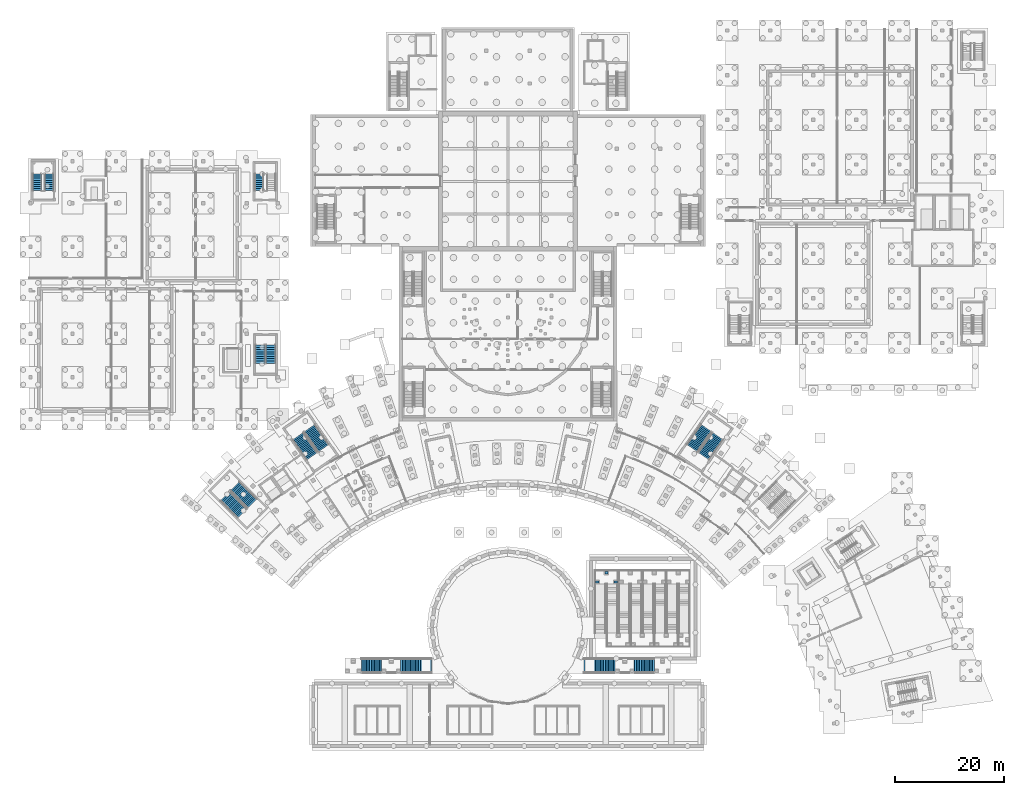
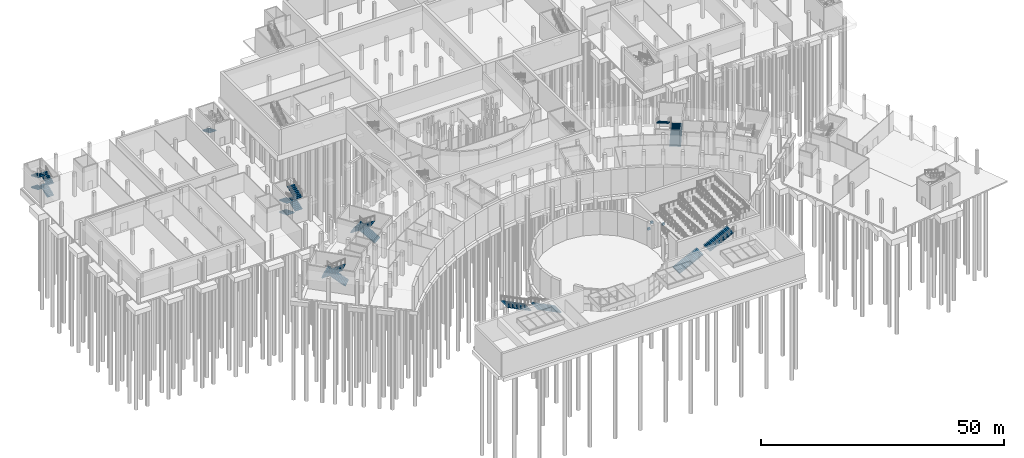
# One storey, part 31 of 66: 19 stair flights, 3 walls, 8 elements without a shape of their own.
"""IFC4 building model written with IfcOpenShell, lengths in metres."""

from ifc_helpers import new_model, si_unit, direction, frame, frame_2d, origin, place, context, subcontext, project, spatial, polyline, rectangle, outline, extrude, material, layer, layer_set, type_object, element, aggregate, save


model = new_model("IFC4")

# Units and contexts
model_context = context("Model", 3, precision=1e-05, world=origin(), true_north=direction((0.0, 1.0)))
body_context = subcontext(model_context, "Body", "Model", "MODEL_VIEW")
ifc_project = project(units=[si_unit("LENGTHUNIT", "METRE"), si_unit("AREAUNIT", "SQUARE_METRE"), si_unit("VOLUMEUNIT", "CUBIC_METRE"), si_unit("PLANEANGLEUNIT", "RADIAN"), si_unit("MASSUNIT", "GRAM", prefix="KILO")], contexts=[model_context])

# Site, building, storey
site_placement = place(None, origin())
site = spatial("IfcSite", under=ifc_project, at=site_placement, CompositionType="ELEMENT")
building_placement = place(site_placement, origin())
building = spatial("IfcBuilding", under=site, at=building_placement, Name="Lunette Opera House", CompositionType="ELEMENT")
storey_placement = place(building_placement, frame((0.0, 0.0, -6.0)))
storey = spatial("IfcBuildingStorey", under=building, at=storey_placement, Name="B1", CompositionType="ELEMENT", Elevation=-6.0)

# Walls
ifc_material_1 = material(Name="Concrete C35/45", Category="concrete")
ifc_layer = layer(ifc_material_1, 0.39990234375)
ifc_layer_set = layer_set([ifc_layer], Name="Concrete C35/45")
wall_type = type_object("IfcWallType", Name="RAMP PIER WALL 400", PredefinedType="SOLIDWALL", material=ifc_layer_set)
wall_1_placement = place(storey_placement, frame((112.10009765625, 34.39990234375, 0.0), z_axis=(0.0, 0.0, 1.0), x_axis=(1.0, 0.0, 0.0)))
element("IfcWall", 1, at=wall_1_placement, inside=storey, type_object=wall_type, Name="Bearing pier FR1-L-P1", PredefinedType="SOLIDWALL", context=body_context, shape_type="SweptSolid", body=[
    extrude(rectangle(XDim=0.599853515625, YDim=0.39990234375, at=frame_2d((0.2998046875, 0.0))), origin(), (0.0, 0.0, 1.0), 0.5),
])
wall_2_placement = place(storey_placement, frame((115.5, 34.39990234375, 0.0), z_axis=(0.0, 0.0, 1.0), x_axis=(1.0, 0.0, 0.0)))
element("IfcWall", 2, at=wall_2_placement, inside=storey, type_object=wall_type, Name="Bearing pier FR1-L-P2", PredefinedType="SOLIDWALL", context=body_context, shape_type="SweptSolid", body=[
    extrude(rectangle(XDim=0.60009765625, YDim=0.39990234375, at=frame_2d((0.300048828125, 0.0))), origin(), (0.0, 0.0, 1.0), 0.5),
])
wall_3_placement = place(storey_placement, frame((113.800048828125, 36.10009765625, 0.0), z_axis=(0.0, 0.0, 1.0), x_axis=(1.0, 0.0, 0.0)))
element("IfcWall", 3, at=wall_3_placement, inside=storey, type_object=wall_type, Name="Bearing pier FR1-L-P3", PredefinedType="SOLIDWALL", context=body_context, shape_type="SweptSolid", body=[
    extrude(rectangle(XDim=0.599853515625, YDim=0.39990234375, at=frame_2d((0.2998046875, 0.0))), origin(), (0.0, 0.0, 1.0), 0.5),
])

# Stair, stair flights
ifc_material_2 = material(Name="Concrete C35/45", Category="concrete")
stair_type_1 = type_object("IfcStairType", Name="FORECOURT STAIR 4000", PredefinedType="STRAIGHT_RUN_STAIR", material=ifc_material_2)
stair_1_placement = place(storey_placement, origin())
stair_1 = element("IfcStair", 4, at=stair_1_placement, inside=storey, type_object=stair_type_1, Name="Forecourt stair FS1", PredefinedType="STRAIGHT_RUN_STAIR")
ifc_material_3 = material(Name="Concrete C35/45", Category="concrete")
stair_flight_type_1 = type_object("IfcStairFlightType", Name="FORECOURT STAIR FLIGHT 4000", PredefinedType="STRAIGHT", material=ifc_material_3)
stair_flight_1_placement = place(storey_placement, frame((82.0, 19.0, 0.0), z_axis=(0.0, 0.0, 1.0), x_axis=(-1.0, 0.0, 0.0)))
stair_flight_1 = element("IfcStairFlight", 5, at=stair_flight_1_placement, type_object=stair_flight_type_1, Name="FS1 flight 1", NumberOfRisers=20, NumberOfTreads=19, PredefinedType="STRAIGHT", RiserHeight=0.15, TreadLength=0.3, context=body_context, shape_type="SweptSolid", body=[
    extrude(outline(polyline([(0.0, 0.0), (0.0, 0.14990234375), (0.300048828125, 0.14990234375), (0.300048828125, 0.300048828125), (0.60009765625, 0.300048828125), (0.60009765625, 0.449951171875), (0.89990234375, 0.449951171875), (0.89990234375, 0.60009765625), (1.199951171875, 0.60009765625), (1.199951171875, 0.75), (1.5, 0.75), (1.5, 0.89990234375), (1.800048828125, 0.89990234375), (1.800048828125, 1.050048828125), (2.10009765625, 1.050048828125), (2.10009765625, 1.199951171875), (2.39990234375, 1.199951171875), (2.39990234375, 1.35009765625), (2.699951171875, 1.35009765625), (2.699951171875, 1.5), (3.0, 1.5), (3.0, 1.64990234375), (3.300048828125, 1.64990234375), (3.300048828125, 1.800048828125), (3.60009765625, 1.800048828125), (3.60009765625, 1.949951171875), (3.89990234375, 1.949951171875), (3.89990234375, 2.10009765625), (4.199951171875, 2.10009765625), (4.199951171875, 2.25), (4.5, 2.25), (4.5, 2.39990234375), (4.800048828125, 2.39990234375), (4.800048828125, 2.550048828125), (5.10009765625, 2.550048828125), (5.10009765625, 2.699951171875), (5.39990234375, 2.699951171875), (5.39990234375, 2.85009765625), (5.699951171875, 2.85009765625), (5.699951171875, 3.0), (5.699951171875, 2.682373046875), (0.335205078125, 0.0), (0.0, 0.0)])), frame((0.0, 1.39990234375, 0.0), z_axis=(0.0, -1.0, 0.0), x_axis=(1.0, 0.0, 0.0)), (0.0, 0.0, 1.0), 2.800048828125),
])
stair_flight_2_placement = place(storey_placement, frame((74.800048828125, 19.0, 3.0), z_axis=(0.0, 0.0, 1.0), x_axis=(-1.0, 0.0, 0.0)))
stair_flight_2 = element("IfcStairFlight", 6, at=stair_flight_2_placement, type_object=stair_flight_type_1, Name="FS1 flight 2", NumberOfRisers=20, NumberOfTreads=19, PredefinedType="STRAIGHT", RiserHeight=0.15, TreadLength=0.3, context=body_context, shape_type="SweptSolid", body=[
    extrude(outline(polyline([(0.0, 0.0), (0.0, 0.14990234375), (0.300048828125, 0.14990234375), (0.300048828125, 0.300048828125), (0.60009765625, 0.300048828125), (0.60009765625, 0.449951171875), (0.89990234375, 0.449951171875), (0.89990234375, 0.60009765625), (1.199951171875, 0.60009765625), (1.199951171875, 0.75), (1.5, 0.75), (1.5, 0.89990234375), (1.800048828125, 0.89990234375), (1.800048828125, 1.050048828125), (2.10009765625, 1.050048828125), (2.10009765625, 1.199951171875), (2.39990234375, 1.199951171875), (2.39990234375, 1.35009765625), (2.699951171875, 1.35009765625), (2.699951171875, 1.5), (3.0, 1.5), (3.0, 1.64990234375), (3.300048828125, 1.64990234375), (3.300048828125, 1.800048828125), (3.60009765625, 1.800048828125), (3.60009765625, 1.949951171875), (3.89990234375, 1.949951171875), (3.89990234375, 2.10009765625), (4.199951171875, 2.10009765625), (4.199951171875, 2.25), (4.5, 2.25), (4.5, 2.39990234375), (4.800048828125, 2.39990234375), (4.800048828125, 2.550048828125), (5.10009765625, 2.550048828125), (5.10009765625, 2.699951171875), (5.39990234375, 2.699951171875), (5.39990234375, 2.85009765625), (5.699951171875, 2.85009765625), (5.699951171875, 3.0), (5.699951171875, 2.682373046875), (0.335205078125, 0.0), (0.0, 0.0)])), frame((0.0, 1.39990234375, 0.0), z_axis=(0.0, -1.0, 0.0), x_axis=(1.0, 0.0, 0.0)), (0.0, 0.0, 1.0), 2.800048828125),
])
aggregate(stair_1, [stair_flight_1, stair_flight_2])

stair_2_placement = place(storey_placement, origin())
stair_2 = element("IfcStair", 7, at=stair_2_placement, inside=storey, type_object=stair_type_1, Name="Forecourt stair FS2", PredefinedType="STRAIGHT_RUN_STAIR")
stair_flight_3_placement = place(storey_placement, frame((110.0, 19.0, 0.0), z_axis=(0.0, 0.0, 1.0), x_axis=(1.0, 0.0, 0.0)))
stair_flight_3 = element("IfcStairFlight", 8, at=stair_flight_3_placement, type_object=stair_flight_type_1, Name="FS2 flight 1", NumberOfRisers=20, NumberOfTreads=19, PredefinedType="STRAIGHT", RiserHeight=0.15, TreadLength=0.3, context=body_context, shape_type="SweptSolid", body=[
    extrude(outline(polyline([(0.0, 0.0), (0.0, 0.14990234375), (0.300048828125, 0.14990234375), (0.300048828125, 0.300048828125), (0.60009765625, 0.300048828125), (0.60009765625, 0.449951171875), (0.89990234375, 0.449951171875), (0.89990234375, 0.60009765625), (1.199951171875, 0.60009765625), (1.199951171875, 0.75), (1.5, 0.75), (1.5, 0.89990234375), (1.800048828125, 0.89990234375), (1.800048828125, 1.050048828125), (2.10009765625, 1.050048828125), (2.10009765625, 1.199951171875), (2.39990234375, 1.199951171875), (2.39990234375, 1.35009765625), (2.699951171875, 1.35009765625), (2.699951171875, 1.5), (3.0, 1.5), (3.0, 1.64990234375), (3.300048828125, 1.64990234375), (3.300048828125, 1.800048828125), (3.60009765625, 1.800048828125), (3.60009765625, 1.949951171875), (3.89990234375, 1.949951171875), (3.89990234375, 2.10009765625), (4.199951171875, 2.10009765625), (4.199951171875, 2.25), (4.5, 2.25), (4.5, 2.39990234375), (4.800048828125, 2.39990234375), (4.800048828125, 2.550048828125), (5.10009765625, 2.550048828125), (5.10009765625, 2.699951171875), (5.39990234375, 2.699951171875), (5.39990234375, 2.85009765625), (5.699951171875, 2.85009765625), (5.699951171875, 3.0), (5.699951171875, 2.682373046875), (0.335205078125, 0.0), (0.0, 0.0)])), frame((0.0, 1.39990234375, 0.0), z_axis=(0.0, -1.0, 0.0), x_axis=(1.0, 0.0, 0.0)), (0.0, 0.0, 1.0), 2.800048828125),
])
stair_flight_4_placement = place(storey_placement, frame((117.199951171875, 19.0, 3.0), z_axis=(0.0, 0.0, 1.0), x_axis=(1.0, 0.0, 0.0)))
stair_flight_4 = element("IfcStairFlight", 9, at=stair_flight_4_placement, type_object=stair_flight_type_1, Name="FS2 flight 2", NumberOfRisers=20, NumberOfTreads=19, PredefinedType="STRAIGHT", RiserHeight=0.15, TreadLength=0.3, context=body_context, shape_type="SweptSolid", body=[
    extrude(outline(polyline([(0.0, 0.0), (0.0, 0.14990234375), (0.300048828125, 0.14990234375), (0.300048828125, 0.300048828125), (0.60009765625, 0.300048828125), (0.60009765625, 0.449951171875), (0.89990234375, 0.449951171875), (0.89990234375, 0.60009765625), (1.199951171875, 0.60009765625), (1.199951171875, 0.75), (1.5, 0.75), (1.5, 0.89990234375), (1.800048828125, 0.89990234375), (1.800048828125, 1.050048828125), (2.10009765625, 1.050048828125), (2.10009765625, 1.199951171875), (2.39990234375, 1.199951171875), (2.39990234375, 1.35009765625), (2.699951171875, 1.35009765625), (2.699951171875, 1.5), (3.0, 1.5), (3.0, 1.64990234375), (3.300048828125, 1.64990234375), (3.300048828125, 1.800048828125), (3.60009765625, 1.800048828125), (3.60009765625, 1.949951171875), (3.89990234375, 1.949951171875), (3.89990234375, 2.10009765625), (4.199951171875, 2.10009765625), (4.199951171875, 2.25), (4.5, 2.25), (4.5, 2.39990234375), (4.800048828125, 2.39990234375), (4.800048828125, 2.550048828125), (5.10009765625, 2.550048828125), (5.10009765625, 2.699951171875), (5.39990234375, 2.699951171875), (5.39990234375, 2.85009765625), (5.699951171875, 2.85009765625), (5.699951171875, 3.0), (5.699951171875, 2.682373046875), (0.335205078125, 0.0), (0.0, 0.0)])), frame((0.0, 1.39990234375, 0.0), z_axis=(0.0, -1.0, 0.0), x_axis=(1.0, 0.0, 0.0)), (0.0, 0.0, 1.0), 2.800048828125),
])
aggregate(stair_2, [stair_flight_3, stair_flight_4])

ifc_material_4 = material(Name="Concrete C35/45", Category="concrete")
stair_type_2 = type_object("IfcStairType", Name="DOGLEG STAIR 1600", PredefinedType="HALF_TURN_STAIR", material=ifc_material_4)
stair_3_placement = place(storey_placement, origin())
stair_3 = element("IfcStair", 10, at=stair_3_placement, inside=storey, type_object=stair_type_2, Name="B1 stair ST15", PredefinedType="HALF_TURN_STAIR")
ifc_material_5 = material(Name="Concrete C35/45", Category="concrete")
stair_flight_type_2 = type_object("IfcStairFlightType", Name="STRAIGHT STAIR FLIGHT 1600", PredefinedType="STRAIGHT", material=ifc_material_5)
stair_flight_5_placement = place(storey_placement, frame((11.699951171875, 106.300048828125, 0.0), z_axis=(0.0, 0.0, 1.0), x_axis=(0.0, 1.0, 0.0)))
stair_flight_5 = element("IfcStairFlight", 11, at=stair_flight_5_placement, type_object=stair_flight_type_2, Name="ST15 flight 1", NumberOfRisers=9, NumberOfTreads=8, PredefinedType="STRAIGHT", RiserHeight=0.166666667, TreadLength=0.38, context=body_context, shape_type="SweptSolid", body=[
    extrude(outline(polyline([(0.0, 0.0), (0.0, 0.166748046875), (0.3798828125, 0.166748046875), (0.3798828125, 0.333251953125), (0.760009765625, 0.333251953125), (0.760009765625, 0.5), (1.139892578125, 0.5), (1.139892578125, 0.666748046875), (1.52001953125, 0.666748046875), (1.52001953125, 0.833251953125), (1.89990234375, 0.833251953125), (1.89990234375, 1.0), (2.280029296875, 1.0), (2.280029296875, 1.166748046875), (2.659912109375, 1.166748046875), (2.659912109375, 1.333251953125), (3.0400390625, 1.333251953125), (3.0400390625, 1.5), (3.0400390625, 1.169677734375), (0.373291015625, 0.0), (0.0, 0.0)])), frame((0.0, 0.800048828125, 0.0), z_axis=(0.0, -1.0, 0.0), x_axis=(1.0, 0.0, 0.0)), (0.0, 0.0, 1.0), 1.60009765625),
])
stair_flight_6_placement = place(storey_placement, frame((9.5, 109.340087890625, 1.5), z_axis=(0.0, 0.0, 1.0), x_axis=(0.0, -1.0, 0.0)))
stair_flight_6 = element("IfcStairFlight", 12, at=stair_flight_6_placement, type_object=stair_flight_type_2, Name="ST15 flight 2", NumberOfRisers=9, NumberOfTreads=8, PredefinedType="STRAIGHT", RiserHeight=0.166666667, TreadLength=0.38, context=body_context, shape_type="SweptSolid", body=[
    extrude(outline(polyline([(0.0, 0.0), (0.0, 0.166748046875), (0.3798828125, 0.166748046875), (0.3798828125, 0.333251953125), (0.760009765625, 0.333251953125), (0.760009765625, 0.5), (1.139892578125, 0.5), (1.139892578125, 0.666748046875), (1.52001953125, 0.666748046875), (1.52001953125, 0.833251953125), (1.89990234375, 0.833251953125), (1.89990234375, 1.0), (2.280029296875, 1.0), (2.280029296875, 1.166748046875), (2.659912109375, 1.166748046875), (2.659912109375, 1.333251953125), (3.0400390625, 1.333251953125), (3.0400390625, 1.5), (3.0400390625, 1.169677734375), (0.373291015625, 0.0), (0.0, 0.0)])), frame((0.0, 0.800048828125, 0.0), z_axis=(0.0, -1.0, 0.0), x_axis=(1.0, 0.0, 0.0)), (0.0, 0.0, 1.0), 1.60009765625),
])
stair_flight_7_placement = place(storey_placement, frame((11.699951171875, 106.300048828125, 3.0), z_axis=(0.0, 0.0, 1.0), x_axis=(0.0, 1.0, 0.0)))
stair_flight_7 = element("IfcStairFlight", 13, at=stair_flight_7_placement, type_object=stair_flight_type_2, Name="ST15 flight 3", NumberOfRisers=9, NumberOfTreads=8, PredefinedType="STRAIGHT", RiserHeight=0.166666667, TreadLength=0.38, context=body_context, shape_type="SweptSolid", body=[
    extrude(outline(polyline([(0.0, 0.0), (0.0, 0.166748046875), (0.3798828125, 0.166748046875), (0.3798828125, 0.333251953125), (0.760009765625, 0.333251953125), (0.760009765625, 0.5), (1.139892578125, 0.5), (1.139892578125, 0.666748046875), (1.52001953125, 0.666748046875), (1.52001953125, 0.833251953125), (1.89990234375, 0.833251953125), (1.89990234375, 1.0), (2.280029296875, 1.0), (2.280029296875, 1.166748046875), (2.659912109375, 1.166748046875), (2.659912109375, 1.333251953125), (3.0400390625, 1.333251953125), (3.0400390625, 1.5), (3.0400390625, 1.169677734375), (0.373291015625, 0.0), (0.0, 0.0)])), frame((0.0, 0.800048828125, 0.0), z_axis=(0.0, -1.0, 0.0), x_axis=(1.0, 0.0, 0.0)), (0.0, 0.0, 1.0), 1.60009765625),
])
stair_flight_8_placement = place(storey_placement, frame((9.5, 109.340087890625, 4.5), z_axis=(0.0, 0.0, 1.0), x_axis=(0.0, -1.0, 0.0)))
stair_flight_8 = element("IfcStairFlight", 14, at=stair_flight_8_placement, type_object=stair_flight_type_2, Name="ST15 flight 4", NumberOfRisers=9, NumberOfTreads=8, PredefinedType="STRAIGHT", RiserHeight=0.166666667, TreadLength=0.38, context=body_context, shape_type="SweptSolid", body=[
    extrude(outline(polyline([(0.0, 0.0), (0.0, 0.166748046875), (0.3798828125, 0.166748046875), (0.3798828125, 0.333251953125), (0.760009765625, 0.333251953125), (0.760009765625, 0.5), (1.139892578125, 0.5), (1.139892578125, 0.666748046875), (1.52001953125, 0.666748046875), (1.52001953125, 0.833251953125), (1.89990234375, 0.833251953125), (1.89990234375, 1.0), (2.280029296875, 1.0), (2.280029296875, 1.166748046875), (2.659912109375, 1.166748046875), (2.659912109375, 1.333251953125), (3.0400390625, 1.333251953125), (3.0400390625, 1.5), (3.0400390625, 1.169677734375), (0.373291015625, 0.0), (0.0, 0.0)])), frame((0.0, 0.800048828125, 0.0), z_axis=(0.0, -1.0, 0.0), x_axis=(1.0, 0.0, 0.0)), (0.0, 0.0, 1.0), 1.60009765625),
])
aggregate(stair_3, [stair_flight_5, stair_flight_6, stair_flight_7, stair_flight_8])

# Stair, stair flight
stair_4_placement = place(storey_placement, origin())
stair_4 = element("IfcStair", 15, at=stair_4_placement, inside=storey, type_object=stair_type_2, Name="B1 stair ST17", PredefinedType="HALF_TURN_STAIR")
stair_flight_9_placement = place(storey_placement, frame((50.300048828125, 109.340087890625, 1.5), z_axis=(0.0, 0.0, 1.0), x_axis=(0.0, -1.0, 0.0)))
stair_flight_9 = element("IfcStairFlight", 16, at=stair_flight_9_placement, type_object=stair_flight_type_2, Name="ST17 flight 2", NumberOfRisers=9, NumberOfTreads=8, PredefinedType="STRAIGHT", RiserHeight=0.166666667, TreadLength=0.38, context=body_context, shape_type="SweptSolid", body=[
    extrude(outline(polyline([(0.0, 0.0), (0.0, 0.166748046875), (0.3798828125, 0.166748046875), (0.3798828125, 0.333251953125), (0.760009765625, 0.333251953125), (0.760009765625, 0.5), (1.139892578125, 0.5), (1.139892578125, 0.666748046875), (1.52001953125, 0.666748046875), (1.52001953125, 0.833251953125), (1.89990234375, 0.833251953125), (1.89990234375, 1.0), (2.280029296875, 1.0), (2.280029296875, 1.166748046875), (2.659912109375, 1.166748046875), (2.659912109375, 1.333251953125), (3.0400390625, 1.333251953125), (3.0400390625, 1.5), (3.0400390625, 1.169677734375), (0.373291015625, 0.0), (0.0, 0.0)])), frame((0.0, 0.800048828125, 0.0), z_axis=(0.0, -1.0, 0.0), x_axis=(1.0, 0.0, 0.0)), (0.0, 0.0, 1.0), 1.60009765625),
])
aggregate(stair_4, [stair_flight_9])

# Stair, stair flights
ifc_material_6 = material(Name="Concrete C35/45", Category="concrete")
stair_type_3 = type_object("IfcStairType", Name="DOGLEG STAIR 1770", PredefinedType="HALF_TURN_STAIR", material=ifc_material_6)
stair_5_placement = place(storey_placement, origin())
stair_5 = element("IfcStair", 17, at=stair_5_placement, inside=storey, type_object=stair_type_3, Name="B1 stair ST16", PredefinedType="HALF_TURN_STAIR")
ifc_material_7 = material(Name="Concrete C35/45", Category="concrete")
stair_flight_type_3 = type_object("IfcStairFlightType", Name="STRAIGHT STAIR FLIGHT 1770", PredefinedType="STRAIGHT", material=ifc_material_7)
stair_flight_10_placement = place(storey_placement, frame((50.485107421875, 77.929931640625, 0.0), z_axis=(0.0, 0.0, 1.0), x_axis=(0.0, -1.0, 0.0)))
stair_flight_10 = element("IfcStairFlight", 18, at=stair_flight_10_placement, type_object=stair_flight_type_3, Name="ST16 flight 1", NumberOfRisers=9, NumberOfTreads=8, PredefinedType="STRAIGHT", RiserHeight=0.166666667, TreadLength=0.42, context=body_context, shape_type="SweptSolid", body=[
    extrude(outline(polyline([(0.0, 0.0), (0.0, 0.166748046875), (0.419921875, 0.166748046875), (0.419921875, 0.333251953125), (0.840087890625, 0.333251953125), (0.840087890625, 0.5), (1.260009765625, 0.5), (1.260009765625, 0.666748046875), (1.679931640625, 0.666748046875), (1.679931640625, 0.833251953125), (2.10009765625, 0.833251953125), (2.10009765625, 1.0), (2.52001953125, 1.0), (2.52001953125, 1.166748046875), (2.93994140625, 1.166748046875), (2.93994140625, 1.333251953125), (3.360107421875, 1.333251953125), (3.360107421875, 1.5), (3.360107421875, 1.172119140625), (0.406494140625, 0.0), (0.0, 0.0)])), frame((0.0, 0.885009765625, 0.0), z_axis=(0.0, -1.0, 0.0), x_axis=(1.0, 0.0, 0.0)), (0.0, 0.0, 1.0), 1.77001953125),
])
stair_flight_11_placement = place(storey_placement, frame((52.4150390625, 74.570068359375, 1.5), z_axis=(0.0, 0.0, 1.0), x_axis=(0.0, 1.0, 0.0)))
stair_flight_11 = element("IfcStairFlight", 19, at=stair_flight_11_placement, type_object=stair_flight_type_3, Name="ST16 flight 2", NumberOfRisers=9, NumberOfTreads=8, PredefinedType="STRAIGHT", RiserHeight=0.166666667, TreadLength=0.42, context=body_context, shape_type="SweptSolid", body=[
    extrude(outline(polyline([(0.0, 0.0), (0.0, 0.166748046875), (0.419921875, 0.166748046875), (0.419921875, 0.333251953125), (0.840087890625, 0.333251953125), (0.840087890625, 0.5), (1.260009765625, 0.5), (1.260009765625, 0.666748046875), (1.679931640625, 0.666748046875), (1.679931640625, 0.833251953125), (2.10009765625, 0.833251953125), (2.10009765625, 1.0), (2.52001953125, 1.0), (2.52001953125, 1.166748046875), (2.93994140625, 1.166748046875), (2.93994140625, 1.333251953125), (3.360107421875, 1.333251953125), (3.360107421875, 1.5), (3.360107421875, 1.172119140625), (0.406494140625, 0.0), (0.0, 0.0)])), frame((0.0, 0.885009765625, 0.0), z_axis=(0.0, -1.0, 0.0), x_axis=(1.0, 0.0, 0.0)), (0.0, 0.0, 1.0), 1.77001953125),
])
stair_flight_12_placement = place(storey_placement, frame((50.485107421875, 77.929931640625, 3.0), z_axis=(0.0, 0.0, 1.0), x_axis=(0.0, -1.0, 0.0)))
stair_flight_12 = element("IfcStairFlight", 20, at=stair_flight_12_placement, type_object=stair_flight_type_3, Name="ST16 flight 3", NumberOfRisers=9, NumberOfTreads=8, PredefinedType="STRAIGHT", RiserHeight=0.166666667, TreadLength=0.42, context=body_context, shape_type="SweptSolid", body=[
    extrude(outline(polyline([(0.0, 0.0), (0.0, 0.166748046875), (0.419921875, 0.166748046875), (0.419921875, 0.333251953125), (0.840087890625, 0.333251953125), (0.840087890625, 0.5), (1.260009765625, 0.5), (1.260009765625, 0.666748046875), (1.679931640625, 0.666748046875), (1.679931640625, 0.833251953125), (2.10009765625, 0.833251953125), (2.10009765625, 1.0), (2.52001953125, 1.0), (2.52001953125, 1.166748046875), (2.93994140625, 1.166748046875), (2.93994140625, 1.333251953125), (3.360107421875, 1.333251953125), (3.360107421875, 1.5), (3.360107421875, 1.172119140625), (0.406494140625, 0.0), (0.0, 0.0)])), frame((0.0, 0.885009765625, 0.0), z_axis=(0.0, -1.0, 0.0), x_axis=(1.0, 0.0, 0.0)), (0.0, 0.0, 1.0), 1.77001953125),
])
stair_flight_13_placement = place(storey_placement, frame((52.4150390625, 74.570068359375, 4.5), z_axis=(0.0, 0.0, 1.0), x_axis=(0.0, 1.0, 0.0)))
stair_flight_13 = element("IfcStairFlight", 21, at=stair_flight_13_placement, type_object=stair_flight_type_3, Name="ST16 flight 4", NumberOfRisers=9, NumberOfTreads=8, PredefinedType="STRAIGHT", RiserHeight=0.166666667, TreadLength=0.42, context=body_context, shape_type="SweptSolid", body=[
    extrude(outline(polyline([(0.0, 0.0), (0.0, 0.166748046875), (0.419921875, 0.166748046875), (0.419921875, 0.333251953125), (0.840087890625, 0.333251953125), (0.840087890625, 0.5), (1.260009765625, 0.5), (1.260009765625, 0.666748046875), (1.679931640625, 0.666748046875), (1.679931640625, 0.833251953125), (2.10009765625, 0.833251953125), (2.10009765625, 1.0), (2.52001953125, 1.0), (2.52001953125, 1.166748046875), (2.93994140625, 1.166748046875), (2.93994140625, 1.333251953125), (3.360107421875, 1.333251953125), (3.360107421875, 1.5), (3.360107421875, 1.172119140625), (0.406494140625, 0.0), (0.0, 0.0)])), frame((0.0, 0.885009765625, 0.0), z_axis=(0.0, -1.0, 0.0), x_axis=(1.0, 0.0, 0.0)), (0.0, 0.0, 1.0), 1.77001953125),
])
aggregate(stair_5, [stair_flight_10, stair_flight_11, stair_flight_12, stair_flight_13])

ifc_material_8 = material(Name="Concrete C35/45", Category="concrete")
stair_type_4 = type_object("IfcStairType", Name="DOGLEG STAIR 2400", PredefinedType="HALF_TURN_STAIR", material=ifc_material_8)
stair_6_placement = place(storey_placement, origin())
stair_6 = element("IfcStair", 22, at=stair_6_placement, inside=storey, type_object=stair_type_4, Name="B1 stair ST1", PredefinedType="HALF_TURN_STAIR")
ifc_material_9 = material(Name="Concrete C35/45", Category="concrete")
stair_flight_type_4 = type_object("IfcStairFlightType", Name="STRAIGHT STAIR FLIGHT 2400", PredefinedType="STRAIGHT", material=ifc_material_9)
stair_flight_14_placement = place(storey_placement, frame((49.01318359375, 48.825439453125, 0.0), z_axis=(0.0, 0.0, 1.0), x_axis=(-0.707106781187, 0.707106781187, 0.0)))
stair_flight_14 = element("IfcStairFlight", 23, at=stair_flight_14_placement, type_object=stair_flight_type_4, Name="ST1 flight 1", NumberOfRisers=17, NumberOfTreads=16, PredefinedType="STRAIGHT", RiserHeight=0.176470588, TreadLength=0.28, context=body_context, shape_type="SweptSolid", body=[
    extrude(outline(polyline([(0.0, 0.0), (0.0, 0.176513671875), (0.280029296875, 0.176513671875), (0.280029296875, 0.35302734375), (0.56005859375, 0.35302734375), (0.56005859375, 0.529296875), (0.840087890625, 0.529296875), (0.840087890625, 0.705810546875), (1.1201171875, 0.705810546875), (1.1201171875, 0.88232421875), (1.39990234375, 0.88232421875), (1.39990234375, 1.058837890625), (1.679931640625, 1.058837890625), (1.679931640625, 1.2353515625), (1.9599609375, 1.2353515625), (1.9599609375, 1.411865234375), (2.239990234375, 1.411865234375), (2.239990234375, 1.588134765625), (2.52001953125, 1.588134765625), (2.52001953125, 1.7646484375), (2.800048828125, 1.7646484375), (2.800048828125, 1.941162109375), (3.080078125, 1.941162109375), (3.080078125, 2.11767578125), (3.360107421875, 2.11767578125), (3.360107421875, 2.294189453125), (3.639892578125, 2.294189453125), (3.639892578125, 2.470703125), (3.919921875, 2.470703125), (3.919921875, 2.64697265625), (4.199951171875, 2.64697265625), (4.199951171875, 2.823486328125), (4.47998046875, 2.823486328125), (4.47998046875, 3.0), (4.47998046875, 2.646240234375), (0.28125, 0.0), (0.0, 0.0)])), frame((0.0, 1.199951171875, 0.0), z_axis=(0.0, -1.0, 0.0), x_axis=(1.0, 0.0, 0.0)), (0.0, 0.0, 1.0), 2.39990234375),
])
stair_flight_15_placement = place(storey_placement, frame((44.006591796875, 50.15478515625, 3.0), z_axis=(0.0, 0.0, 1.0), x_axis=(0.707106781187, -0.707106781187, 0.0)))
stair_flight_15 = element("IfcStairFlight", 24, at=stair_flight_15_placement, type_object=stair_flight_type_4, Name="ST1 flight 2", NumberOfRisers=17, NumberOfTreads=16, PredefinedType="STRAIGHT", RiserHeight=0.176470588, TreadLength=0.28, context=body_context, shape_type="SweptSolid", body=[
    extrude(outline(polyline([(0.0, 0.0), (0.0, 0.176513671875), (0.280029296875, 0.176513671875), (0.280029296875, 0.35302734375), (0.56005859375, 0.35302734375), (0.56005859375, 0.529296875), (0.840087890625, 0.529296875), (0.840087890625, 0.705810546875), (1.1201171875, 0.705810546875), (1.1201171875, 0.88232421875), (1.39990234375, 0.88232421875), (1.39990234375, 1.058837890625), (1.679931640625, 1.058837890625), (1.679931640625, 1.2353515625), (1.9599609375, 1.2353515625), (1.9599609375, 1.411865234375), (2.239990234375, 1.411865234375), (2.239990234375, 1.588134765625), (2.52001953125, 1.588134765625), (2.52001953125, 1.7646484375), (2.800048828125, 1.7646484375), (2.800048828125, 1.941162109375), (3.080078125, 1.941162109375), (3.080078125, 2.11767578125), (3.360107421875, 2.11767578125), (3.360107421875, 2.294189453125), (3.639892578125, 2.294189453125), (3.639892578125, 2.470703125), (3.919921875, 2.470703125), (3.919921875, 2.64697265625), (4.199951171875, 2.64697265625), (4.199951171875, 2.823486328125), (4.47998046875, 2.823486328125), (4.47998046875, 3.0), (4.47998046875, 2.646240234375), (0.28125, 0.0), (0.0, 0.0)])), frame((0.0, 1.199951171875, 0.0), z_axis=(0.0, -1.0, 0.0), x_axis=(1.0, 0.0, 0.0)), (0.0, 0.0, 1.0), 2.39990234375),
])
aggregate(stair_6, [stair_flight_14, stair_flight_15])

stair_7_placement = place(storey_placement, origin())
stair_7 = element("IfcStair", 25, at=stair_7_placement, inside=storey, type_object=stair_type_4, Name="B1 stair ST2", PredefinedType="HALF_TURN_STAIR")
stair_flight_16_placement = place(storey_placement, frame((62.13720703125, 58.996337890625, 0.0), z_axis=(0.0, 0.0, 1.0), x_axis=(-0.573510282723, 0.819198361577, 0.0)))
stair_flight_16 = element("IfcStairFlight", 26, at=stair_flight_16_placement, type_object=stair_flight_type_4, Name="ST2 flight 1", NumberOfRisers=17, NumberOfTreads=16, PredefinedType="STRAIGHT", RiserHeight=0.176470588, TreadLength=0.28, context=body_context, shape_type="SweptSolid", body=[
    extrude(outline(polyline([(0.0, 0.0), (0.0, 0.176513671875), (0.280029296875, 0.176513671875), (0.280029296875, 0.35302734375), (0.56005859375, 0.35302734375), (0.56005859375, 0.529296875), (0.840087890625, 0.529296875), (0.840087890625, 0.705810546875), (1.1201171875, 0.705810546875), (1.1201171875, 0.88232421875), (1.39990234375, 0.88232421875), (1.39990234375, 1.058837890625), (1.679931640625, 1.058837890625), (1.679931640625, 1.2353515625), (1.9599609375, 1.2353515625), (1.9599609375, 1.411865234375), (2.239990234375, 1.411865234375), (2.239990234375, 1.588134765625), (2.52001953125, 1.588134765625), (2.52001953125, 1.7646484375), (2.800048828125, 1.7646484375), (2.800048828125, 1.941162109375), (3.080078125, 1.941162109375), (3.080078125, 2.11767578125), (3.360107421875, 2.11767578125), (3.360107421875, 2.294189453125), (3.639892578125, 2.294189453125), (3.639892578125, 2.470703125), (3.919921875, 2.470703125), (3.919921875, 2.64697265625), (4.199951171875, 2.64697265625), (4.199951171875, 2.823486328125), (4.47998046875, 2.823486328125), (4.47998046875, 3.0), (4.47998046875, 2.646240234375), (0.28125, 0.0), (0.0, 0.0)])), frame((0.0, 1.199951171875, 0.0), z_axis=(0.0, -1.0, 0.0), x_axis=(1.0, 0.0, 0.0)), (0.0, 0.0, 1.0), 2.39990234375),
])
stair_flight_17_placement = place(storey_placement, frame((57.437255859375, 61.175048828125, 3.0), z_axis=(0.0, 0.0, 1.0), x_axis=(0.573510282723, -0.819198361577, 0.0)))
stair_flight_17 = element("IfcStairFlight", 27, at=stair_flight_17_placement, type_object=stair_flight_type_4, Name="ST2 flight 2", NumberOfRisers=17, NumberOfTreads=16, PredefinedType="STRAIGHT", RiserHeight=0.176470588, TreadLength=0.28, context=body_context, shape_type="SweptSolid", body=[
    extrude(outline(polyline([(0.0, 0.0), (0.0, 0.176513671875), (0.280029296875, 0.176513671875), (0.280029296875, 0.35302734375), (0.56005859375, 0.35302734375), (0.56005859375, 0.529296875), (0.840087890625, 0.529296875), (0.840087890625, 0.705810546875), (1.1201171875, 0.705810546875), (1.1201171875, 0.88232421875), (1.39990234375, 0.88232421875), (1.39990234375, 1.058837890625), (1.679931640625, 1.058837890625), (1.679931640625, 1.2353515625), (1.9599609375, 1.2353515625), (1.9599609375, 1.411865234375), (2.239990234375, 1.411865234375), (2.239990234375, 1.588134765625), (2.52001953125, 1.588134765625), (2.52001953125, 1.7646484375), (2.800048828125, 1.7646484375), (2.800048828125, 1.941162109375), (3.080078125, 1.941162109375), (3.080078125, 2.11767578125), (3.360107421875, 2.11767578125), (3.360107421875, 2.294189453125), (3.639892578125, 2.294189453125), (3.639892578125, 2.470703125), (3.919921875, 2.470703125), (3.919921875, 2.64697265625), (4.199951171875, 2.64697265625), (4.199951171875, 2.823486328125), (4.47998046875, 2.823486328125), (4.47998046875, 3.0), (4.47998046875, 2.646240234375), (0.28125, 0.0), (0.0, 0.0)])), frame((0.0, 1.199951171875, 0.0), z_axis=(0.0, -1.0, 0.0), x_axis=(1.0, 0.0, 0.0)), (0.0, 0.0, 1.0), 2.39990234375),
])
aggregate(stair_7, [stair_flight_16, stair_flight_17])

stair_8_placement = place(storey_placement, origin())
stair_8 = element("IfcStair", 28, at=stair_8_placement, inside=storey, type_object=stair_type_4, Name="B1 stair ST3", PredefinedType="HALF_TURN_STAIR")
stair_flight_18_placement = place(storey_placement, frame((131.9931640625, 57.5048828125, 0.0), z_axis=(0.0, 0.0, 1.0), x_axis=(0.573569716789, 0.819156749336, 0.0)))
stair_flight_18 = element("IfcStairFlight", 29, at=stair_flight_18_placement, type_object=stair_flight_type_4, Name="ST3 flight 1", NumberOfRisers=17, NumberOfTreads=16, PredefinedType="STRAIGHT", RiserHeight=0.176470588, TreadLength=0.28, context=body_context, shape_type="SweptSolid", body=[
    extrude(outline(polyline([(0.0, 0.0), (0.0, 0.176513671875), (0.280029296875, 0.176513671875), (0.280029296875, 0.35302734375), (0.56005859375, 0.35302734375), (0.56005859375, 0.529296875), (0.840087890625, 0.529296875), (0.840087890625, 0.705810546875), (1.1201171875, 0.705810546875), (1.1201171875, 0.88232421875), (1.39990234375, 0.88232421875), (1.39990234375, 1.058837890625), (1.679931640625, 1.058837890625), (1.679931640625, 1.2353515625), (1.9599609375, 1.2353515625), (1.9599609375, 1.411865234375), (2.239990234375, 1.411865234375), (2.239990234375, 1.588134765625), (2.52001953125, 1.588134765625), (2.52001953125, 1.7646484375), (2.800048828125, 1.7646484375), (2.800048828125, 1.941162109375), (3.080078125, 1.941162109375), (3.080078125, 2.11767578125), (3.360107421875, 2.11767578125), (3.360107421875, 2.294189453125), (3.639892578125, 2.294189453125), (3.639892578125, 2.470703125), (3.919921875, 2.470703125), (3.919921875, 2.64697265625), (4.199951171875, 2.64697265625), (4.199951171875, 2.823486328125), (4.47998046875, 2.823486328125), (4.47998046875, 3.0), (4.47998046875, 2.646240234375), (0.28125, 0.0), (0.0, 0.0)])), frame((0.0, 1.199951171875, 0.0), z_axis=(0.0, -1.0, 0.0), x_axis=(1.0, 0.0, 0.0)), (0.0, 0.0, 1.0), 2.39990234375),
])
stair_flight_19_placement = place(storey_placement, frame((132.432373046875, 62.66650390625, 3.0), z_axis=(0.0, 0.0, 1.0), x_axis=(-0.573569716789, -0.819156749336, 0.0)))
stair_flight_19 = element("IfcStairFlight", 30, at=stair_flight_19_placement, type_object=stair_flight_type_4, Name="ST3 flight 2", NumberOfRisers=17, NumberOfTreads=16, PredefinedType="STRAIGHT", RiserHeight=0.176470588, TreadLength=0.28, context=body_context, shape_type="SweptSolid", body=[
    extrude(outline(polyline([(0.0, 0.0), (0.0, 0.176513671875), (0.280029296875, 0.176513671875), (0.280029296875, 0.35302734375), (0.56005859375, 0.35302734375), (0.56005859375, 0.529296875), (0.840087890625, 0.529296875), (0.840087890625, 0.705810546875), (1.1201171875, 0.705810546875), (1.1201171875, 0.88232421875), (1.39990234375, 0.88232421875), (1.39990234375, 1.058837890625), (1.679931640625, 1.058837890625), (1.679931640625, 1.2353515625), (1.9599609375, 1.2353515625), (1.9599609375, 1.411865234375), (2.239990234375, 1.411865234375), (2.239990234375, 1.588134765625), (2.52001953125, 1.588134765625), (2.52001953125, 1.7646484375), (2.800048828125, 1.7646484375), (2.800048828125, 1.941162109375), (3.080078125, 1.941162109375), (3.080078125, 2.11767578125), (3.360107421875, 2.11767578125), (3.360107421875, 2.294189453125), (3.639892578125, 2.294189453125), (3.639892578125, 2.470703125), (3.919921875, 2.470703125), (3.919921875, 2.64697265625), (4.199951171875, 2.64697265625), (4.199951171875, 2.823486328125), (4.47998046875, 2.823486328125), (4.47998046875, 3.0), (4.47998046875, 2.646240234375), (0.28125, 0.0), (0.0, 0.0)])), frame((0.0, 1.199951171875, 0.0), z_axis=(0.0, -1.0, 0.0), x_axis=(1.0, 0.0, 0.0)), (0.0, 0.0, 1.0), 2.39990234375),
])
aggregate(stair_8, [stair_flight_18, stair_flight_19])

save(model, "model.ifc")
